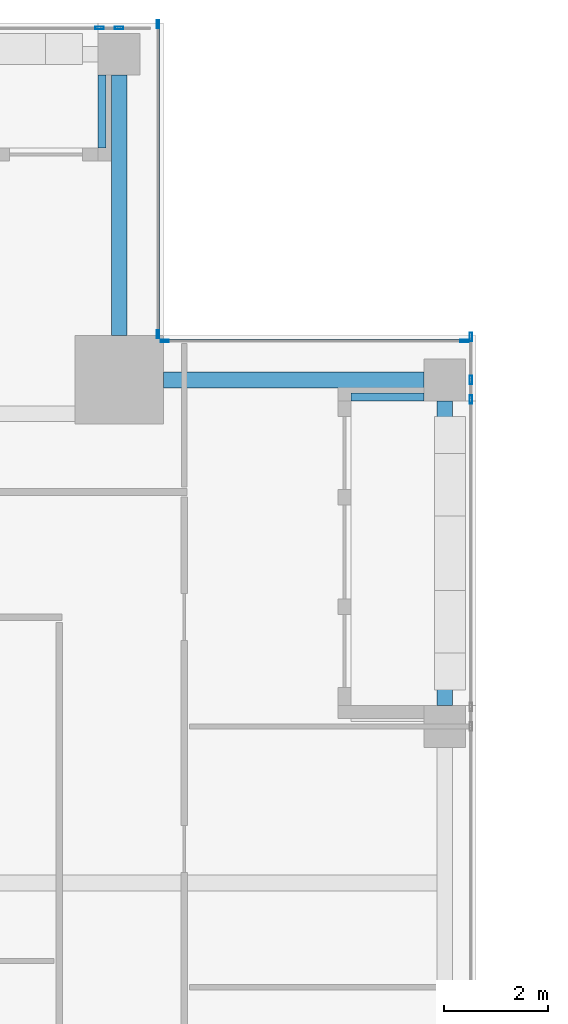
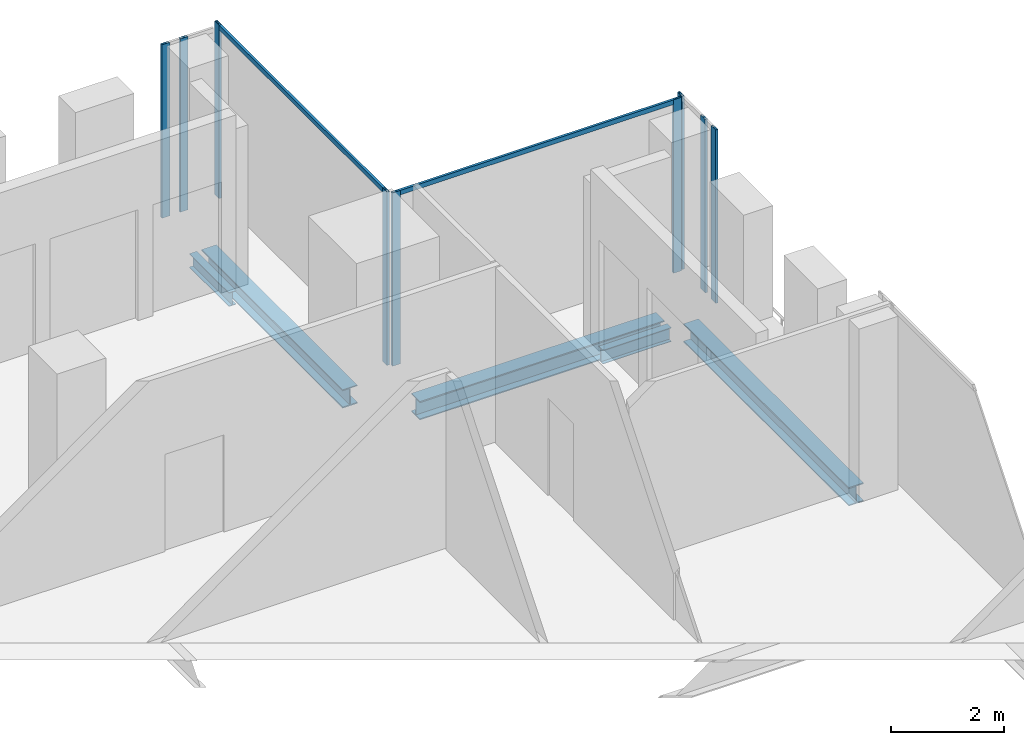
# One storey, part 16 of 28: 11 members, 5 beams, 4 elements without a shape of their own.
"""IFC4 building model written with IfcOpenShell, lengths in metres."""

import ifcopenshell
import ifcopenshell.guid

model = None  # the IFC model being written
_history = None  # IfcOwnerHistory: only IFC2X3 demands one
_inside = {}  # id of a spatial element -> (the spatial element, [elements in it])
_under = {}  # id of a project, library or spatial element -> (it, [spatial elements below it])
_declared = {}  # id of a project -> (the project, [libraries it declares])
_typed = {}  # id of a type object -> (the type object, [elements of that type])
_made_of = {}  # id of a material, layer set ... -> (it, [elements and type objects made of it])


def new_model(schema):
    """Start an empty IFC model of exactly this schema.

    Asked for "IFC4X3", IfcOpenShell would pick the latest addendum, in which some entities
    have other attributes; the version numbers below select the first issue.
    IFC2X3 requires an IfcOwnerHistory on every rooted entity: one is made here for all.
    """
    global model, _history
    if schema == "IFC4X3":
        model = ifcopenshell.file(schema_version=(4, 3, 0, 0))
    else:
        model = ifcopenshell.file(schema=schema)
    _inside.clear()
    _under.clear()
    _declared.clear()
    _typed.clear()
    _made_of.clear()
    _history = None
    if model.schema == "IFC2X3":
        org = make("IfcOrganization", Name="unknown")
        user = make(
            "IfcPersonAndOrganization",
            ThePerson=make("IfcPerson", FamilyName="unknown"),
            TheOrganization=org,
        )
        app = make(
            "IfcApplication",
            ApplicationDeveloper=org,
            Version="unknown",
            ApplicationFullName="unknown",
            ApplicationIdentifier="unknown",
        )
        _history = make(
            "IfcOwnerHistory",
            OwningUser=user,
            OwningApplication=app,
            ChangeAction="ADDED",
            CreationDate=0,
        )
    return model


def make(cls, **values):
    """One entity of the class cls with the attributes given. An attribute that is None is left unset."""
    return model.create_entity(
        cls, **{name: value for name, value in values.items() if value is not None}
    )


def rooted(cls, **values):
    """An entity with a GlobalId (a new one), such as an element, a storey or a relation."""
    return make(cls, GlobalId=ifcopenshell.guid.new(), OwnerHistory=_history, **values)


def si_unit(unit_type, name, prefix=None):
    """IfcSIUnit, for example si_unit("LENGTHUNIT", "METRE", prefix="MILLI")."""
    return make("IfcSIUnit", UnitType=unit_type, Prefix=prefix, Name=name)


def assignment(units):
    """IfcUnitAssignment: the units of a project."""
    return None if units is None else make("IfcUnitAssignment", Units=units)


def point(xyz):
    """IfcCartesianPoint."""
    return None if xyz is None else make("IfcCartesianPoint", Coordinates=xyz)


def direction(xyz):
    """IfcDirection."""
    return None if xyz is None else make("IfcDirection", DirectionRatios=xyz)


def frame(location, z_axis=None, x_axis=None):
    """IfcAxis2Placement3D, a coordinate frame: its origin and axes. An axis left out is left unset."""
    return make(
        "IfcAxis2Placement3D",
        Location=point(location),
        Axis=direction(z_axis),
        RefDirection=direction(x_axis),
    )


def frame_2d(location, x_axis=None):
    """IfcAxis2Placement2D, a coordinate frame in the plane: its origin and x axis."""
    return make(
        "IfcAxis2Placement2D", Location=point(location), RefDirection=direction(x_axis)
    )


def origin():
    """The frame at (0, 0, 0) with its axes left unset."""
    return frame((0.0, 0.0, 0.0))


def origin_2d():
    """The frame at (0, 0) in the plane with its x axis left unset."""
    return frame_2d((0.0, 0.0))


def place(relative_to, where):
    """IfcLocalPlacement: puts the frame where relative to a parent placement (None: the world)."""
    return make(
        "IfcLocalPlacement", PlacementRelTo=relative_to, RelativePlacement=where
    )


def context(
    kind, dimensions, precision=None, world=None, true_north=None, identifier=None
):
    """IfcGeometricRepresentationContext, for example the 3D "Model" context."""
    return make(
        "IfcGeometricRepresentationContext",
        ContextIdentifier=identifier,
        ContextType=kind,
        CoordinateSpaceDimension=dimensions,
        Precision=precision,
        WorldCoordinateSystem=world,
        TrueNorth=true_north,
    )


def subcontext(parent, identifier, kind, view, scale=None):
    """IfcGeometricRepresentationSubContext, for example "Body" below "Model"."""
    return make(
        "IfcGeometricRepresentationSubContext",
        ContextIdentifier=identifier,
        ContextType=kind,
        ParentContext=parent,
        TargetScale=scale,
        TargetView=view,
    )


def project(units=None, contexts=None):
    """IfcProject with its units and contexts."""
    return rooted(
        "IfcProject",
        Name="project",
        RepresentationContexts=contexts,
        UnitsInContext=assignment(units),
    )


def spatial(cls, under=None, at=None, **own):
    """A site, building, storey or space (cls), placed at a placement, below another one or the project."""
    s = rooted(cls, ObjectPlacement=at, **own)
    if under is not None:
        _under.setdefault(under.id(), (under, []))[1].append(s)
    return s


def profile(cls, at=None, kind="AREA", **sizes):
    """A parametric profile (cls). Its sizes go by their IFC names, for example OverallWidth=200.0."""
    return make(cls, ProfileType=kind, Position=at, **sizes)


def hollow_rectangle(**sizes):
    """IfcRectangleHollowProfileDef."""
    return profile("IfcRectangleHollowProfileDef", **sizes)


def i_section(**sizes):
    """IfcIShapeProfileDef."""
    return profile("IfcIShapeProfileDef", **sizes)


def extrude(swept, where, along, depth):
    """IfcExtrudedAreaSolid: the profile swept, set in the frame where, extruded along a direction by depth."""
    return make(
        "IfcExtrudedAreaSolid",
        SweptArea=swept,
        Position=where,
        ExtrudedDirection=direction(along),
        Depth=depth,
    )


def shape(context_of_items, identifier, shape_type, items):
    """IfcShapeRepresentation: the items that make up one representation, for example the "Body"."""
    return make(
        "IfcShapeRepresentation",
        ContextOfItems=context_of_items,
        RepresentationIdentifier=identifier,
        RepresentationType=shape_type,
        Items=items,
    )


def source(mapping_origin, context_of_items, identifier, shape_type, items):
    """IfcRepresentationMap: a shape defined once, which mapped items show again and again."""
    return make(
        "IfcRepresentationMap",
        MappingOrigin=mapping_origin,
        MappedRepresentation=shape(context_of_items, identifier, shape_type, items),
    )


def transform(
    local_origin,
    x_axis=None,
    y_axis=None,
    z_axis=None,
    scale=None,
    scale2=None,
    scale3=None,
    uniform=True,
):
    """IfcCartesianTransformationOperator3D, or its non-uniform kind. x_axis, y_axis, z_axis: its Axis1, 2, 3."""
    if uniform:
        return make(
            "IfcCartesianTransformationOperator3D",
            Axis1=direction(x_axis),
            Axis2=direction(y_axis),
            LocalOrigin=point(local_origin),
            Scale=scale,
            Axis3=direction(z_axis),
        )
    return make(
        "IfcCartesianTransformationOperator3DnonUniform",
        Axis1=direction(x_axis),
        Axis2=direction(y_axis),
        LocalOrigin=point(local_origin),
        Scale=scale,
        Axis3=direction(z_axis),
        Scale2=scale2,
        Scale3=scale3,
    )


def mapped(mapping_source, mapping_target):
    """IfcMappedItem: shows the shape of a source again, moved by a transform."""
    return make(
        "IfcMappedItem", MappingSource=mapping_source, MappingTarget=mapping_target
    )


def material(Name=None, Category=None):
    """IfcMaterial."""
    return make("IfcMaterial", Name=Name, Category=Category)


def material_profile(
    of_material, cross_section, Name=None, Category=None, Priority=None
):
    """IfcMaterialProfile: a cross section and its material."""
    return make(
        "IfcMaterialProfile",
        Name=Name,
        Material=of_material,
        Profile=cross_section,
        Priority=Priority,
        Category=Category,
    )


def profile_set(profiles, Name=None, composite=None):
    """IfcMaterialProfileSet."""
    return make(
        "IfcMaterialProfileSet",
        Name=Name,
        MaterialProfiles=profiles,
        CompositeProfile=composite,
    )


def made_of(thing, what):
    """Note that an element or type object is made of a material, layer set ...; save() writes the relation."""
    if what is not None:
        _made_of.setdefault(what.id(), (what, []))[1].append(thing)
    return thing


def type_object(cls, material=None, **own):
    """A type object (cls), such as IfcWallType, which elements share."""
    return made_of(rooted(cls, **own), material)


def element(
    cls,
    number,
    at=None,
    inside=None,
    cuts=None,
    type_object=None,
    material=None,
    context=None,
    identifier="Body",
    shape_type=None,
    held_by="IfcProductDefinitionShape",
    body=None,
    shapes=None,
    **own,
):
    """One element of the class cls, such as IfcWall. Its Tag is "e" and its number.

    at: its placement. inside: the storey or other place that contains it. cuts: it is an
    opening in that element (IfcRelVoidsElement). A single representation is given by context,
    identifier, shape_type and body (its items); several are given by shapes. held_by: the class
    of the entity that holds the representations. save() writes the other relations.
    """
    e = rooted(cls, Tag="e%d" % number, ObjectPlacement=at, **own)
    if body is not None:
        shapes = [shape(context, identifier, shape_type, body)]
    if shapes is not None:
        e.Representation = make(held_by, Representations=shapes)
    if inside is not None:
        _inside.setdefault(inside.id(), (inside, []))[1].append(e)
    if cuts is not None:
        rooted(
            "IfcRelVoidsElement", RelatingBuildingElement=cuts, RelatedOpeningElement=e
        )
    if type_object is not None:
        _typed.setdefault(type_object.id(), (type_object, []))[1].append(e)
    return made_of(e, material)


def aggregate(whole, parts):
    """IfcRelAggregates: a whole, such as a stair, and the parts it consists of."""
    return rooted("IfcRelAggregates", RelatingObject=whole, RelatedObjects=parts)


def save(model, path):
    """Write the relations noted so far, then the file.

    IfcRelAggregates (storeys below a building ...), IfcRelContainedInSpatialStructure (elements
    in a storey), IfcRelDefinesByType, IfcRelAssociatesMaterial and IfcRelDeclares: one each for
    every whole, place, type object, material and project.
    """
    for whole, parts in _under.values():
        aggregate(whole, parts)
    for where, things in _inside.values():
        rooted(
            "IfcRelContainedInSpatialStructure",
            RelatedElements=things,
            RelatingStructure=where,
        )
    for kind, things in _typed.values():
        rooted("IfcRelDefinesByType", RelatedObjects=things, RelatingType=kind)
    for what, things in _made_of.values():
        rooted("IfcRelAssociatesMaterial", RelatedObjects=things, RelatingMaterial=what)
    for by, libraries in _declared.values():
        rooted("IfcRelDeclares", RelatingContext=by, RelatedDefinitions=libraries)
    model.write(path)


model = new_model("IFC4")

# Units and contexts
model_context = context("Model", 3, precision=1e-05, world=origin(), true_north=direction((0.0, 1.0)))
body_context = subcontext(model_context, "Body", "Model", "MODEL_VIEW")
ifc_project = project(units=[si_unit("LENGTHUNIT", "METRE"), si_unit("AREAUNIT", "SQUARE_METRE"), si_unit("VOLUMEUNIT", "CUBIC_METRE"), si_unit("PLANEANGLEUNIT", "RADIAN"), si_unit("MASSUNIT", "GRAM", prefix="KILO")], contexts=[model_context])

# Site, building, storey
site_placement = place(None, origin())
site = spatial("IfcSite", under=ifc_project, at=site_placement, CompositionType="ELEMENT")
building_placement = place(site_placement, origin())
building = spatial("IfcBuilding", under=site, at=building_placement, Name="Khomas Fold Tower", CompositionType="ELEMENT")
storey_placement = place(building_placement, frame((0.0, 0.0, 298.199951171875)))
storey = spatial("IfcBuildingStorey", under=building, at=storey_placement, Name="L67", CompositionType="ELEMENT", Elevation=298.199951171875)

# Beams
ifc_material_1 = material(Name="Steel S355", Category="steel")
ifc_material_profile_1 = material_profile(ifc_material_1, i_section(OverallWidth=0.300048828125, OverallDepth=0.39990234375, WebThickness=0.013427734375, FlangeThickness=0.02392578125, at=origin_2d()), Name="HE 400 B")
ifc_profile_set_1 = profile_set([ifc_material_profile_1], Name="Steel S355")
beam_type_1 = type_object("IfcBeamType", Name="HE 400 B spandrel SB5", PredefinedType="SPANDREL", material=ifc_profile_set_1)
shared_shape_1 = source(origin(), body_context, "Body", "SweptSolid", [
    extrude(i_section(OverallWidth=0.300048828125, OverallDepth=0.39990234375, WebThickness=0.013427734375, FlangeThickness=0.02392578125, at=origin_2d()), origin(), (0.0, 0.0, 1.0), 5.85009765625),
])
beam_placement = place(storey_placement, frame((47.39990234375, 34.89990234375, -0.449951171875), z_axis=(0.0, 1.0, 0.0), x_axis=(-1.0, 0.0, 0.0)))
element("IfcBeam", 1, at=beam_placement, inside=storey, type_object=beam_type_1, Name="SB5", PredefinedType="SPANDREL", context=body_context, shape_type="MappedRepresentation", body=[
    mapped(shared_shape_1, transform((0.0, 0.0, 0.0))),
])
shared_shape_2 = source(origin(), body_context, "Body", "SweptSolid", [
    extrude(i_section(OverallWidth=0.300048828125, OverallDepth=0.39990234375, WebThickness=0.013427734375, FlangeThickness=0.02392578125, at=origin_2d()), origin(), (0.0, 0.0, 1.0), 5.0),
])
for number, where, z_axis, x_axis, name in (
    (2, (42.0, 41.14990234375, -0.449951171875), (1.0, 0.0, 0.0), (0.0, 1.0, 0.0), "SB5"),
    (3, (41.14990234375, 42.0, -0.449951171875), (0.0, 1.0, 0.0), (-1.0, 0.0, 0.0), "SB5"),
):
    element("IfcBeam", number, at=place(storey_placement, frame(where, z_axis=z_axis, x_axis=x_axis)), inside=storey, type_object=beam_type_1, Name=name, PredefinedType="SPANDREL", context=body_context, shape_type="MappedRepresentation", body=[
        mapped(shared_shape_2, transform((0.0, 0.0, 0.0))),
    ])
ifc_material_2 = material(Name="Steel S355", Category="steel")
ifc_material_profile_2 = material_profile(ifc_material_2, i_section(OverallWidth=0.14990234375, OverallDepth=0.300048828125, WebThickness=0.007080078125, FlangeThickness=0.0107421875, at=origin_2d()), Name="IPE 300")
ifc_profile_set_2 = profile_set([ifc_material_profile_2], Name="Steel S355")
beam_type_2 = type_object("IfcBeamType", Name="IPE 300 beam BB2", PredefinedType="BEAM", material=ifc_profile_set_2)
shared_shape_3 = source(origin(), body_context, "Body", "SweptSolid", [
    extrude(i_section(OverallWidth=0.14990234375, OverallDepth=0.300048828125, WebThickness=0.007080078125, FlangeThickness=0.0107421875, at=origin_2d()), origin(), (0.0, 0.0, 1.0), 1.39990234375),
])
for number, where, z_axis, x_axis, name in (
    (4, (40.824951171875, 45.60009765625, -0.39990234375), (0.0, 1.0, 0.0), (-1.0, 0.0, 0.0), "BB2"),
    (5, (45.60009765625, 40.824951171875, -0.39990234375), (1.0, 0.0, 0.0), (0.0, 1.0, 0.0), "BB2"),
):
    element("IfcBeam", number, at=place(storey_placement, frame(where, z_axis=z_axis, x_axis=x_axis)), inside=storey, type_object=beam_type_2, Name=name, PredefinedType="BEAM", context=body_context, shape_type="MappedRepresentation", body=[
        mapped(shared_shape_3, transform((0.0, 0.0, 0.0))),
    ])

# Curtain wall, members
ifc_material_3 = material(Name="Aluminium framed double glazing", Category="aluminium")
curtain_wall_type = type_object("IfcCurtainWallType", Name="SK-Unitised clear-glass wall, upper floors CW3", PredefinedType="NOTDEFINED", material=ifc_material_3)
curtain_wall_1_placement = place(storey_placement, origin())
curtain_wall_1 = element("IfcCurtainWall", 6, at=curtain_wall_1_placement, inside=storey, type_object=curtain_wall_type, Name="CW3 run L67 03-1", PredefinedType="NOTDEFINED")
ifc_material_4 = material(Name="Aluminium", Category="aluminium")
ifc_material_profile_3 = material_profile(ifc_material_4, hollow_rectangle(XDim=0.050048828125, YDim=0.159912109375, WallThickness=0.00390625, at=origin_2d()), Name="SK-Unitised clear-glass wall, upper floors mullion CW3-M")
ifc_profile_set_3 = profile_set([ifc_material_profile_3], Name="Aluminium")
member_type_1 = type_object("IfcMemberType", Name="SK-Unitised clear-glass wall, upper floors mullion CW3-M", PredefinedType="MULLION", material=ifc_profile_set_3)
shared_shape_4 = source(origin(), body_context, "Body", "SweptSolid", [
    extrude(hollow_rectangle(XDim=0.050048828125, YDim=0.159912109375, WallThickness=0.00390625, at=origin_2d()), origin(), (0.0, 0.0, 1.0), 3.75),
])
member_1_placement = place(storey_placement, frame((47.89990234375, 40.77490234375, 0.0), z_axis=(0.0, 0.0, 1.0), x_axis=(-1.0, 0.0, 0.0)))
member_1 = element("IfcMember", 7, at=member_1_placement, type_object=member_type_1, Name="CW3 mullion 1", PredefinedType="MULLION", context=body_context, shape_type="MappedRepresentation", body=[
    mapped(shared_shape_4, transform((0.0, 0.0, 0.0))),
])
member_2_placement = place(storey_placement, frame((47.89990234375, 41.14990234375, 0.0), z_axis=(0.0, 0.0, 1.0), x_axis=(-1.0, 0.0, 0.0)))
member_2 = element("IfcMember", 8, at=member_2_placement, type_object=member_type_1, Name="CW3 mullion 2", PredefinedType="MULLION", context=body_context, shape_type="MappedRepresentation", body=[
    mapped(shared_shape_4, transform((0.0, 0.0, 0.0))),
])
member_3_placement = place(storey_placement, frame((47.89990234375, 41.97509765625, 0.0), z_axis=(0.0, 0.0, 1.0), x_axis=(-1.0, 0.0, 0.0)))
member_3 = element("IfcMember", 9, at=member_3_placement, type_object=member_type_1, Name="CW3 mullion 3", PredefinedType="MULLION", context=body_context, shape_type="MappedRepresentation", body=[
    mapped(shared_shape_4, transform((0.0, 0.0, 0.0))),
])
aggregate(curtain_wall_1, [member_1, member_2, member_3])

curtain_wall_2_placement = place(storey_placement, origin())
curtain_wall_2 = element("IfcCurtainWall", 10, at=curtain_wall_2_placement, inside=storey, type_object=curtain_wall_type, Name="CW3 corner return L67 04", PredefinedType="NOTDEFINED")
member_4_placement = place(storey_placement, frame((47.77490234375, 41.89990234375, 0.0), z_axis=(0.0, 0.0, 1.0), x_axis=(0.0, -1.0, 0.0)))
member_4 = element("IfcMember", 11, at=member_4_placement, type_object=member_type_1, Name="CW3 mullion 1", PredefinedType="MULLION", context=body_context, shape_type="MappedRepresentation", body=[
    mapped(shared_shape_4, transform((0.0, 0.0, 0.0))),
])
member_5_placement = place(storey_placement, frame((42.02490234375, 41.89990234375, 0.0), z_axis=(0.0, 0.0, 1.0), x_axis=(0.0, -1.0, 0.0)))
member_5 = element("IfcMember", 12, at=member_5_placement, type_object=member_type_1, Name="CW3 mullion 2", PredefinedType="MULLION", context=body_context, shape_type="MappedRepresentation", body=[
    mapped(shared_shape_4, transform((0.0, 0.0, 0.0))),
])

curtain_wall_3_placement = place(storey_placement, origin())
curtain_wall_3 = element("IfcCurtainWall", 13, at=curtain_wall_3_placement, inside=storey, type_object=curtain_wall_type, Name="CW3 corner return L67 05", PredefinedType="NOTDEFINED")
member_6_placement = place(storey_placement, frame((41.89990234375, 42.02490234375, 0.0), z_axis=(0.0, 0.0, 1.0), x_axis=(-1.0, 0.0, 0.0)))
member_6 = element("IfcMember", 14, at=member_6_placement, type_object=member_type_1, Name="CW3 mullion 1", PredefinedType="MULLION", context=body_context, shape_type="MappedRepresentation", body=[
    mapped(shared_shape_4, transform((0.0, 0.0, 0.0))),
])
member_7_placement = place(storey_placement, frame((41.89990234375, 47.97509765625, 0.0), z_axis=(0.0, 0.0, 1.0), x_axis=(-1.0, 0.0, 0.0)))
member_7 = element("IfcMember", 15, at=member_7_placement, type_object=member_type_1, Name="CW3 mullion 2", PredefinedType="MULLION", context=body_context, shape_type="MappedRepresentation", body=[
    mapped(shared_shape_4, transform((0.0, 0.0, 0.0))),
])

curtain_wall_4_placement = place(storey_placement, origin())
curtain_wall_4 = element("IfcCurtainWall", 16, at=curtain_wall_4_placement, inside=storey, type_object=curtain_wall_type, Name="CW3 run L67 06-0", PredefinedType="NOTDEFINED")
member_8_placement = place(storey_placement, frame((41.14990234375, 47.89990234375, 0.0), z_axis=(0.0, 0.0, 1.0), x_axis=(0.0, -1.0, 0.0)))
member_8 = element("IfcMember", 17, at=member_8_placement, type_object=member_type_1, Name="CW3 mullion 2", PredefinedType="MULLION", context=body_context, shape_type="MappedRepresentation", body=[
    mapped(shared_shape_4, transform((0.0, 0.0, 0.0))),
])
member_9_placement = place(storey_placement, frame((40.77490234375, 47.89990234375, 0.0), z_axis=(0.0, 0.0, 1.0), x_axis=(0.0, -1.0, 0.0)))
member_9 = element("IfcMember", 18, at=member_9_placement, type_object=member_type_1, Name="CW3 mullion 3", PredefinedType="MULLION", context=body_context, shape_type="MappedRepresentation", body=[
    mapped(shared_shape_4, transform((0.0, 0.0, 0.0))),
])
aggregate(curtain_wall_4, [member_8, member_9])

# Member
ifc_material_5 = material(Name="Aluminium", Category="aluminium")
ifc_material_profile_4 = material_profile(ifc_material_5, hollow_rectangle(XDim=0.050048828125, YDim=0.10009765625, WallThickness=0.00390625, at=origin_2d()), Name="SK-Unitised clear-glass wall, upper floors transom CW3-T")
ifc_profile_set_4 = profile_set([ifc_material_profile_4], Name="Aluminium")
member_type_2 = type_object("IfcMemberType", Name="SK-Unitised clear-glass wall, upper floors transom CW3-T", PredefinedType="USERDEFINED", material=ifc_profile_set_4)
shared_shape_5 = source(origin(), body_context, "Body", "SweptSolid", [
    extrude(hollow_rectangle(XDim=0.050048828125, YDim=0.10009765625, WallThickness=0.00390625, at=origin_2d()), origin(), (0.0, 0.0, 1.0), 5.699951171875),
])
member_10_placement = place(storey_placement, frame((47.75, 41.89990234375, 3.699951171875), z_axis=(-1.0, 0.0, 0.0), x_axis=(0.0, -1.0, 0.0)))
member_10 = element("IfcMember", 19, at=member_10_placement, type_object=member_type_2, Name="CW3 transom 1", ObjectType="TRANSOM", PredefinedType="USERDEFINED", context=body_context, shape_type="MappedRepresentation", body=[
    mapped(shared_shape_5, transform((0.0, 0.0, 0.0))),
])

aggregate(curtain_wall_2, [member_4, member_5, member_10])

shared_shape_6 = source(origin(), body_context, "Body", "SweptSolid", [
    extrude(hollow_rectangle(XDim=0.050048828125, YDim=0.10009765625, WallThickness=0.00390625, at=origin_2d()), origin(), (0.0, 0.0, 1.0), 5.89990234375),
])
member_11_placement = place(storey_placement, frame((41.89990234375, 42.050048828125, 3.699951171875), z_axis=(0.0, 1.0, 0.0), x_axis=(-1.0, 0.0, 0.0)))
member_11 = element("IfcMember", 20, at=member_11_placement, type_object=member_type_2, Name="CW3 transom 1", ObjectType="TRANSOM", PredefinedType="USERDEFINED", context=body_context, shape_type="MappedRepresentation", body=[
    mapped(shared_shape_6, transform((0.0, 0.0, 0.0))),
])

aggregate(curtain_wall_3, [member_6, member_7, member_11])

save(model, "model.ifc")
